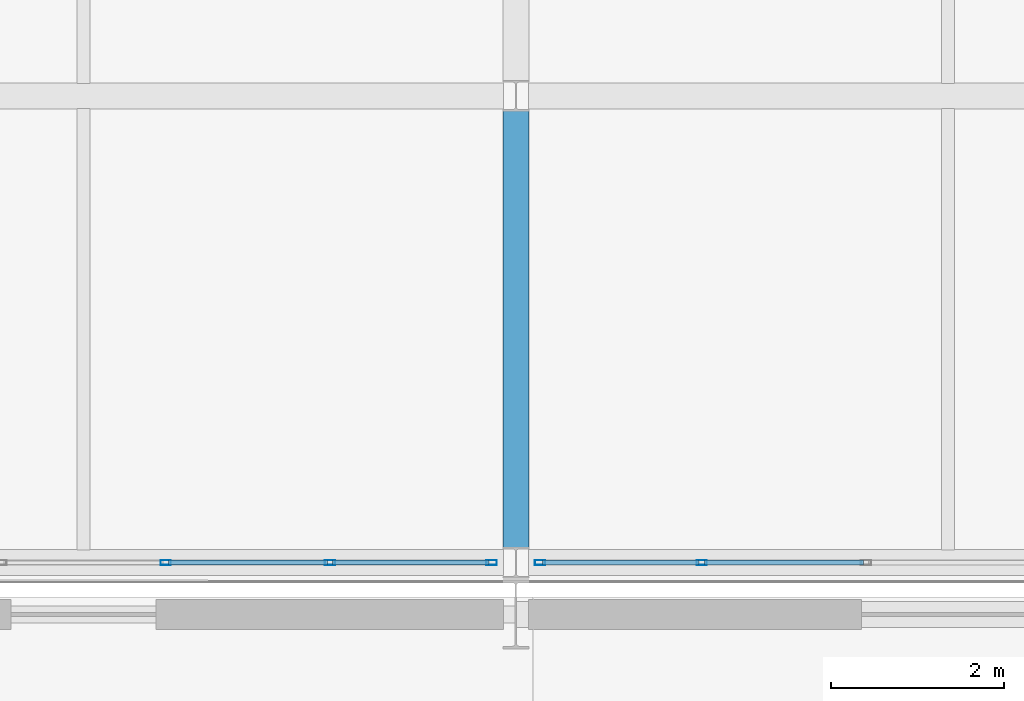
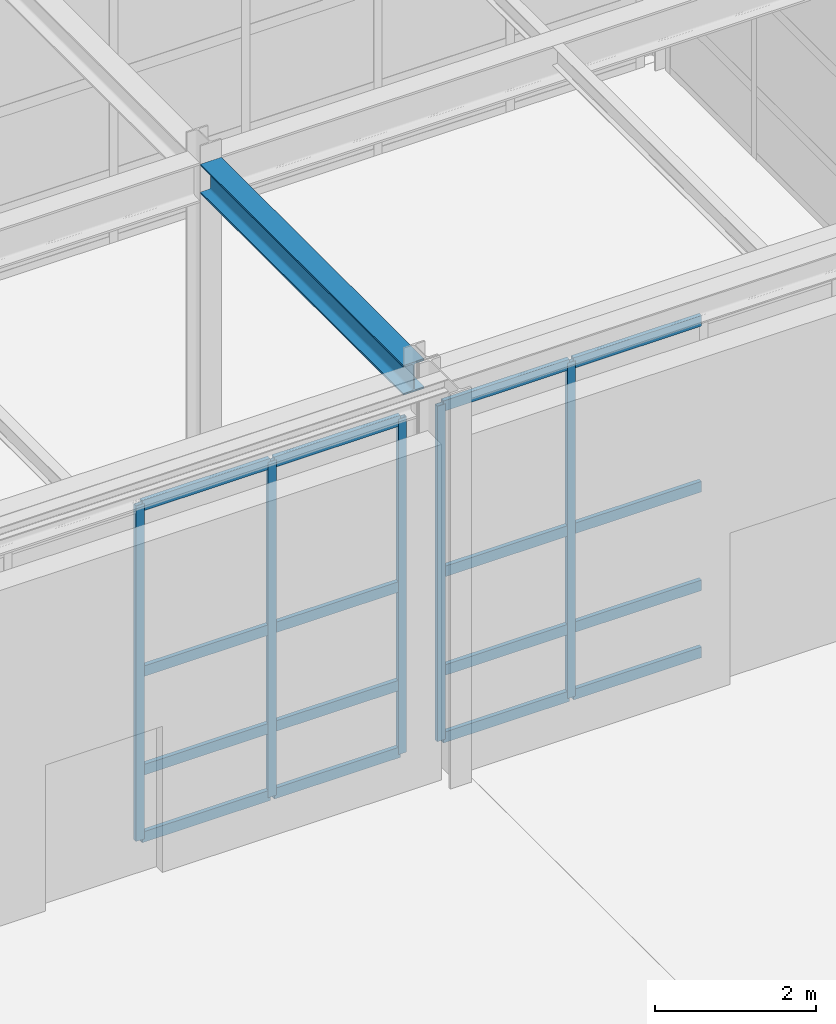
# One storey, part 94 of 146: 21 members, 1 beam, 2 elements without a shape of their own.
"""IFC4 building model written with IfcOpenShell, lengths in metres."""

from ifc_helpers import new_model, si_unit, direction, frame, origin, origin_2d, place, context, subcontext, project, spatial, hollow_rectangle, i_section, extrude, material, material_profile, profile_set, type_object, element, aggregate, save


model = new_model("IFC4")

# Units and contexts
model_context = context("Model", 3, precision=1e-05, world=origin(), true_north=direction((0.0, 1.0)))
body_context = subcontext(model_context, "Body", "Model", "MODEL_VIEW")
ifc_project = project(units=[si_unit("LENGTHUNIT", "METRE"), si_unit("AREAUNIT", "SQUARE_METRE"), si_unit("VOLUMEUNIT", "CUBIC_METRE"), si_unit("PLANEANGLEUNIT", "RADIAN"), si_unit("MASSUNIT", "GRAM", prefix="KILO")], contexts=[model_context])

# Site, building, storey
site_placement = place(None, origin())
site = spatial("IfcSite", under=ifc_project, at=site_placement, CompositionType="ELEMENT")
building_placement = place(site_placement, origin())
building = spatial("IfcBuilding", under=site, at=building_placement, Name="Kaldris Quays Convention Centre", CompositionType="ELEMENT")
storey_placement = place(building_placement, origin())
storey = spatial("IfcBuildingStorey", under=building, at=storey_placement, Name="L00", CompositionType="ELEMENT", Elevation=0.0)

# Curtain wall, members
ifc_material_1 = material(Name="Anodized aluminium AW-6060 and triple glazing", Category="aluminium")
curtain_wall_type = type_object("IfcCurtainWallType", Name="UNITISED CURTAIN WALL CW06", PredefinedType="NOTDEFINED", material=ifc_material_1)
curtain_wall_1_placement = place(storey_placement, origin())
curtain_wall_1 = element("IfcCurtainWall", 1, at=curtain_wall_1_placement, inside=storey, type_object=curtain_wall_type, Name="L00 Unitised Curtain Wall CW06 155", PredefinedType="NOTDEFINED")
ifc_material_2 = material(Name="Anodized aluminium AW-6060", Category="aluminium")
ifc_material_profile_1 = material_profile(ifc_material_2, hollow_rectangle(XDim=0.06005859375, YDim=0.1201171875, WallThickness=0.00390625, at=origin_2d()), Name="RHS 120x60x4")
ifc_profile_set_1 = profile_set([ifc_material_profile_1], Name="Anodized aluminium AW-6060")
member_type_1 = type_object("IfcMemberType", Name="CURTAIN MULLION CWM3", PredefinedType="MULLION", material=ifc_profile_set_1)
member_1_placement = place(storey_placement, frame((179.949951171875, 104.60009765625, 0.0), z_axis=(0.0, 0.0, 1.0), x_axis=(0.0, 1.0, 0.0)))
member_1 = element("IfcMember", 2, at=member_1_placement, type_object=member_type_1, Name="CW06 mullion 4", PredefinedType="MULLION", context=body_context, shape_type="SweptSolid", body=[
    extrude(hollow_rectangle(XDim=0.06005859375, YDim=0.1201171875, WallThickness=0.00390625, at=origin_2d()), origin(), (0.0, 0.0, 1.0), 5.097900390625),
])
member_2_placement = place(storey_placement, frame((181.85009765625, 104.60009765625, 0.0), z_axis=(0.0, 0.0, 1.0), x_axis=(0.0, 1.0, 0.0)))
member_2 = element("IfcMember", 3, at=member_2_placement, type_object=member_type_1, Name="CW06 mullion 5", PredefinedType="MULLION", context=body_context, shape_type="SweptSolid", body=[
    extrude(hollow_rectangle(XDim=0.06005859375, YDim=0.1201171875, WallThickness=0.00390625, at=origin_2d()), origin(), (0.0, 0.0, 1.0), 5.097900390625),
])
member_3_placement = place(storey_placement, frame((183.719970703125, 104.60009765625, 0.0), z_axis=(0.0, 0.0, 1.0), x_axis=(0.0, 1.0, 0.0)))
member_3 = element("IfcMember", 4, at=member_3_placement, type_object=member_type_1, Name="CW06 mullion 6", PredefinedType="MULLION", context=body_context, shape_type="SweptSolid", body=[
    extrude(hollow_rectangle(XDim=0.06005859375, YDim=0.1201171875, WallThickness=0.00390625, at=origin_2d()), origin(), (0.0, 0.0, 1.0), 5.097900390625),
])

curtain_wall_2_placement = place(storey_placement, origin())
curtain_wall_2 = element("IfcCurtainWall", 5, at=curtain_wall_2_placement, inside=storey, type_object=curtain_wall_type, Name="L00 Unitised Curtain Wall CW06 157", PredefinedType="NOTDEFINED")
member_4_placement = place(storey_placement, frame((184.280029296875, 104.60009765625, 0.0), z_axis=(0.0, 0.0, 1.0), x_axis=(0.0, 1.0, 0.0)))
member_4 = element("IfcMember", 6, at=member_4_placement, type_object=member_type_1, Name="CW06 mullion 1", PredefinedType="MULLION", context=body_context, shape_type="SweptSolid", body=[
    extrude(hollow_rectangle(XDim=0.06005859375, YDim=0.1201171875, WallThickness=0.00390625, at=origin_2d()), origin(), (0.0, 0.0, 1.0), 5.097900390625),
])
member_5_placement = place(storey_placement, frame((186.14990234375, 104.60009765625, 0.0), z_axis=(0.0, 0.0, 1.0), x_axis=(0.0, 1.0, 0.0)))
member_5 = element("IfcMember", 7, at=member_5_placement, type_object=member_type_1, Name="CW06 mullion 2", PredefinedType="MULLION", context=body_context, shape_type="SweptSolid", body=[
    extrude(hollow_rectangle(XDim=0.06005859375, YDim=0.1201171875, WallThickness=0.00390625, at=origin_2d()), origin(), (0.0, 0.0, 1.0), 5.097900390625),
])

# Member
ifc_material_profile_2 = material_profile(ifc_material_2, hollow_rectangle(XDim=0.06005859375, YDim=0.159912109375, WallThickness=0.00390625, at=origin_2d()), Name="RHS 160x60x4")
ifc_profile_set_2 = profile_set([ifc_material_profile_2], Name="Anodized aluminium AW-6060")
member_type_2 = type_object("IfcMemberType", Name="CURTAIN TRANSOM CWT2", PredefinedType="USERDEFINED", material=ifc_profile_set_2)
member_6_placement = place(storey_placement, frame((179.97998046875, 104.60009765625, 0.030029296875), z_axis=(1.0, 0.0, 0.0), x_axis=(0.0, 1.0, 0.0)))
member_6 = element("IfcMember", 8, at=member_6_placement, type_object=member_type_2, Name="CW06 transom 4.1", ObjectType="TRANSOM", PredefinedType="USERDEFINED", context=body_context, shape_type="SweptSolid", body=[
    extrude(hollow_rectangle(XDim=0.06005859375, YDim=0.159912109375, WallThickness=0.00390625, at=origin_2d()), origin(), (0.0, 0.0, 1.0), 1.840087890625),
])

member_7_placement = place(storey_placement, frame((179.97998046875, 104.60009765625, 1.050048828125), z_axis=(1.0, 0.0, 0.0), x_axis=(0.0, 1.0, 0.0)))
member_7 = element("IfcMember", 9, at=member_7_placement, type_object=member_type_2, Name="CW06 transom 4.2", ObjectType="TRANSOM", PredefinedType="USERDEFINED", context=body_context, shape_type="SweptSolid", body=[
    extrude(hollow_rectangle(XDim=0.06005859375, YDim=0.159912109375, WallThickness=0.00390625, at=origin_2d()), origin(), (0.0, 0.0, 1.0), 1.840087890625),
])

member_8_placement = place(storey_placement, frame((179.97998046875, 104.60009765625, 2.549072265625), z_axis=(1.0, 0.0, 0.0), x_axis=(0.0, 1.0, 0.0)))
member_8 = element("IfcMember", 10, at=member_8_placement, type_object=member_type_2, Name="CW06 transom 4.3", ObjectType="TRANSOM", PredefinedType="USERDEFINED", context=body_context, shape_type="SweptSolid", body=[
    extrude(hollow_rectangle(XDim=0.06005859375, YDim=0.159912109375, WallThickness=0.00390625, at=origin_2d()), origin(), (0.0, 0.0, 1.0), 1.840087890625),
])

member_9_placement = place(storey_placement, frame((179.97998046875, 104.60009765625, 5.068115234375), z_axis=(1.0, 0.0, 0.0), x_axis=(0.0, 1.0, 0.0)))
member_9 = element("IfcMember", 11, at=member_9_placement, type_object=member_type_2, Name="CW06 transom 4.4", ObjectType="TRANSOM", PredefinedType="USERDEFINED", context=body_context, shape_type="SweptSolid", body=[
    extrude(hollow_rectangle(XDim=0.06005859375, YDim=0.159912109375, WallThickness=0.00390625, at=origin_2d()), origin(), (0.0, 0.0, 1.0), 1.840087890625),
])

member_10_placement = place(storey_placement, frame((181.8798828125, 104.60009765625, 0.030029296875), z_axis=(1.0, 0.0, 0.0), x_axis=(0.0, 1.0, 0.0)))
member_10 = element("IfcMember", 12, at=member_10_placement, type_object=member_type_2, Name="CW06 transom 5.1", ObjectType="TRANSOM", PredefinedType="USERDEFINED", context=body_context, shape_type="SweptSolid", body=[
    extrude(hollow_rectangle(XDim=0.06005859375, YDim=0.159912109375, WallThickness=0.00390625, at=origin_2d()), origin(), (0.0, 0.0, 1.0), 1.81005859375),
])

member_11_placement = place(storey_placement, frame((181.8798828125, 104.60009765625, 1.050048828125), z_axis=(1.0, 0.0, 0.0), x_axis=(0.0, 1.0, 0.0)))
member_11 = element("IfcMember", 13, at=member_11_placement, type_object=member_type_2, Name="CW06 transom 5.2", ObjectType="TRANSOM", PredefinedType="USERDEFINED", context=body_context, shape_type="SweptSolid", body=[
    extrude(hollow_rectangle(XDim=0.06005859375, YDim=0.159912109375, WallThickness=0.00390625, at=origin_2d()), origin(), (0.0, 0.0, 1.0), 1.81005859375),
])

member_12_placement = place(storey_placement, frame((181.8798828125, 104.60009765625, 2.549072265625), z_axis=(1.0, 0.0, 0.0), x_axis=(0.0, 1.0, 0.0)))
member_12 = element("IfcMember", 14, at=member_12_placement, type_object=member_type_2, Name="CW06 transom 5.3", ObjectType="TRANSOM", PredefinedType="USERDEFINED", context=body_context, shape_type="SweptSolid", body=[
    extrude(hollow_rectangle(XDim=0.06005859375, YDim=0.159912109375, WallThickness=0.00390625, at=origin_2d()), origin(), (0.0, 0.0, 1.0), 1.81005859375),
])

member_13_placement = place(storey_placement, frame((181.8798828125, 104.60009765625, 5.068115234375), z_axis=(1.0, 0.0, 0.0), x_axis=(0.0, 1.0, 0.0)))
member_13 = element("IfcMember", 15, at=member_13_placement, type_object=member_type_2, Name="CW06 transom 5.4", ObjectType="TRANSOM", PredefinedType="USERDEFINED", context=body_context, shape_type="SweptSolid", body=[
    extrude(hollow_rectangle(XDim=0.06005859375, YDim=0.159912109375, WallThickness=0.00390625, at=origin_2d()), origin(), (0.0, 0.0, 1.0), 1.81005859375),
])

aggregate(curtain_wall_1, [member_1, member_2, member_3, member_6, member_7, member_8, member_9, member_10, member_11, member_12, member_13])

member_14_placement = place(storey_placement, frame((184.31005859375, 104.60009765625, 0.030029296875), z_axis=(1.0, 0.0, 0.0), x_axis=(0.0, 1.0, 0.0)))
member_14 = element("IfcMember", 16, at=member_14_placement, type_object=member_type_2, Name="CW06 transom 1.1", ObjectType="TRANSOM", PredefinedType="USERDEFINED", context=body_context, shape_type="SweptSolid", body=[
    extrude(hollow_rectangle(XDim=0.06005859375, YDim=0.159912109375, WallThickness=0.00390625, at=origin_2d()), origin(), (0.0, 0.0, 1.0), 1.81005859375),
])

member_15_placement = place(storey_placement, frame((184.31005859375, 104.60009765625, 1.050048828125), z_axis=(1.0, 0.0, 0.0), x_axis=(0.0, 1.0, 0.0)))
member_15 = element("IfcMember", 17, at=member_15_placement, type_object=member_type_2, Name="CW06 transom 1.2", ObjectType="TRANSOM", PredefinedType="USERDEFINED", context=body_context, shape_type="SweptSolid", body=[
    extrude(hollow_rectangle(XDim=0.06005859375, YDim=0.159912109375, WallThickness=0.00390625, at=origin_2d()), origin(), (0.0, 0.0, 1.0), 1.81005859375),
])

member_16_placement = place(storey_placement, frame((184.31005859375, 104.60009765625, 2.549072265625), z_axis=(1.0, 0.0, 0.0), x_axis=(0.0, 1.0, 0.0)))
member_16 = element("IfcMember", 18, at=member_16_placement, type_object=member_type_2, Name="CW06 transom 1.3", ObjectType="TRANSOM", PredefinedType="USERDEFINED", context=body_context, shape_type="SweptSolid", body=[
    extrude(hollow_rectangle(XDim=0.06005859375, YDim=0.159912109375, WallThickness=0.00390625, at=origin_2d()), origin(), (0.0, 0.0, 1.0), 1.81005859375),
])

member_17_placement = place(storey_placement, frame((184.31005859375, 104.60009765625, 5.068115234375), z_axis=(1.0, 0.0, 0.0), x_axis=(0.0, 1.0, 0.0)))
member_17 = element("IfcMember", 19, at=member_17_placement, type_object=member_type_2, Name="CW06 transom 1.4", ObjectType="TRANSOM", PredefinedType="USERDEFINED", context=body_context, shape_type="SweptSolid", body=[
    extrude(hollow_rectangle(XDim=0.06005859375, YDim=0.159912109375, WallThickness=0.00390625, at=origin_2d()), origin(), (0.0, 0.0, 1.0), 1.81005859375),
])

member_18_placement = place(storey_placement, frame((186.179931640625, 104.60009765625, 0.030029296875), z_axis=(1.0, 0.0, 0.0), x_axis=(0.0, 1.0, 0.0)))
member_18 = element("IfcMember", 20, at=member_18_placement, type_object=member_type_2, Name="CW06 transom 2.1", ObjectType="TRANSOM", PredefinedType="USERDEFINED", context=body_context, shape_type="SweptSolid", body=[
    extrude(hollow_rectangle(XDim=0.06005859375, YDim=0.159912109375, WallThickness=0.00390625, at=origin_2d()), origin(), (0.0, 0.0, 1.0), 1.840087890625),
])

member_19_placement = place(storey_placement, frame((186.179931640625, 104.60009765625, 1.050048828125), z_axis=(1.0, 0.0, 0.0), x_axis=(0.0, 1.0, 0.0)))
member_19 = element("IfcMember", 21, at=member_19_placement, type_object=member_type_2, Name="CW06 transom 2.2", ObjectType="TRANSOM", PredefinedType="USERDEFINED", context=body_context, shape_type="SweptSolid", body=[
    extrude(hollow_rectangle(XDim=0.06005859375, YDim=0.159912109375, WallThickness=0.00390625, at=origin_2d()), origin(), (0.0, 0.0, 1.0), 1.840087890625),
])

member_20_placement = place(storey_placement, frame((186.179931640625, 104.60009765625, 2.549072265625), z_axis=(1.0, 0.0, 0.0), x_axis=(0.0, 1.0, 0.0)))
member_20 = element("IfcMember", 22, at=member_20_placement, type_object=member_type_2, Name="CW06 transom 2.3", ObjectType="TRANSOM", PredefinedType="USERDEFINED", context=body_context, shape_type="SweptSolid", body=[
    extrude(hollow_rectangle(XDim=0.06005859375, YDim=0.159912109375, WallThickness=0.00390625, at=origin_2d()), origin(), (0.0, 0.0, 1.0), 1.840087890625),
])

member_21_placement = place(storey_placement, frame((186.179931640625, 104.60009765625, 5.068115234375), z_axis=(1.0, 0.0, 0.0), x_axis=(0.0, 1.0, 0.0)))
member_21 = element("IfcMember", 23, at=member_21_placement, type_object=member_type_2, Name="CW06 transom 2.4", ObjectType="TRANSOM", PredefinedType="USERDEFINED", context=body_context, shape_type="SweptSolid", body=[
    extrude(hollow_rectangle(XDim=0.06005859375, YDim=0.159912109375, WallThickness=0.00390625, at=origin_2d()), origin(), (0.0, 0.0, 1.0), 1.840087890625),
])

aggregate(curtain_wall_2, [member_4, member_5, member_14, member_15, member_16, member_17, member_18, member_19, member_20, member_21])

# Beam
ifc_material_3 = material(Name="Steel S355J2", Category="steel")
ifc_material_profile_3 = material_profile(ifc_material_3, i_section(OverallWidth=0.300048828125, OverallDepth=0.449951171875, WebThickness=0.013916015625, FlangeThickness=0.02587890625, FilletRadius=0.027099609375, at=origin_2d()), Name="HEB 450")
ifc_profile_set_3 = profile_set([ifc_material_profile_3], Name="Steel S355J2")
beam_type = type_object("IfcBeamType", Name="STRUCTURAL BEAM BM07", PredefinedType="BEAM", material=ifc_profile_set_3)
beam_placement = place(storey_placement, frame((184.0, 104.77392578125, 5.498046875), z_axis=(0.0, 1.0, 0.0), x_axis=(-1.0, 0.0, 0.0)))
element("IfcBeam", 24, at=beam_placement, inside=storey, type_object=beam_type, Name="L00 Girder BM07 106", PredefinedType="BEAM", context=body_context, shape_type="SweptSolid", body=[
    extrude(i_section(OverallWidth=0.300048828125, OverallDepth=0.449951171875, WebThickness=0.013916015625, FlangeThickness=0.02587890625, FilletRadius=0.027099609375, at=origin_2d()), origin(), (0.0, 0.0, 1.0), 5.052001953125),
])

save(model, "model.ifc")
